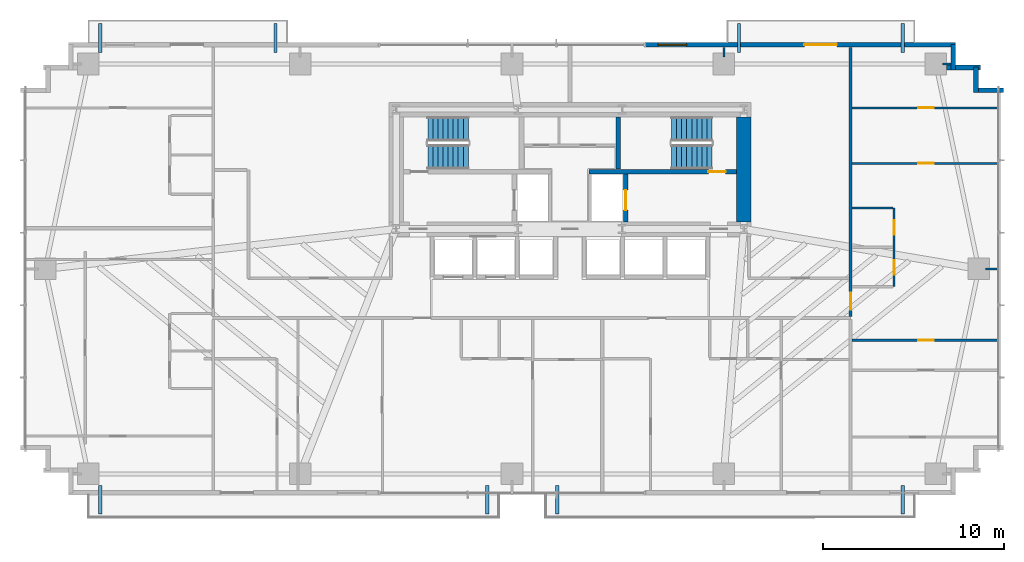
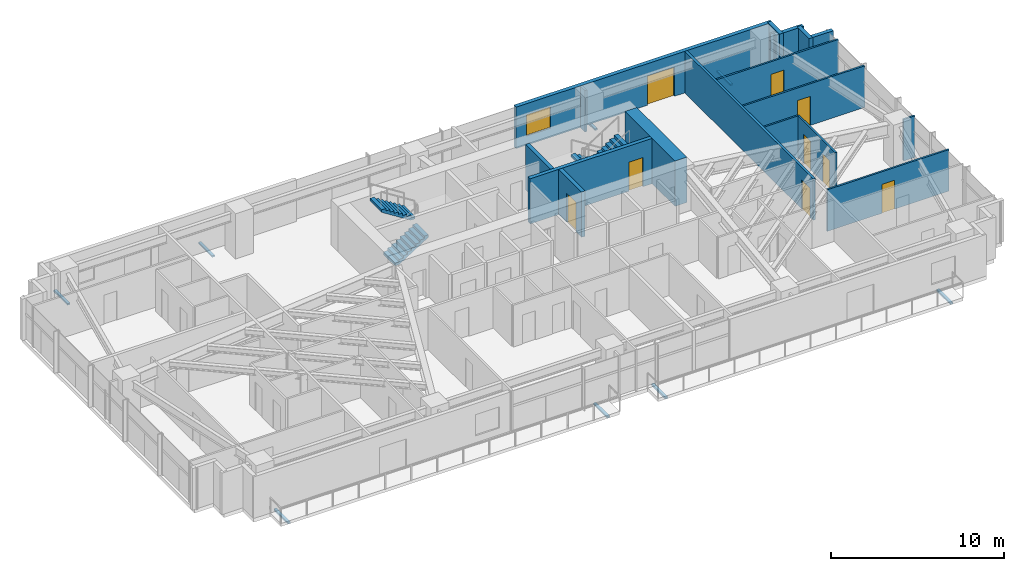
# One storey, part 22 of 25: 18 walls, 9 doors, 8 discrete accessories, 4 stair flights, 1 window, 10 openings, 2 elements without a shape of their own.
"""IFC4 building model written with IfcOpenShell, lengths in metres."""

from ifc_helpers import new_model, si_unit, direction, frame, frame_2d, origin, origin_2d, place, context, subcontext, project, spatial, polyline, rectangle, outline, extrude, source, transform, mapped, material, layer, layer_set, type_object, type_shapes, element, fill, aggregate, save


model = new_model("IFC4")

# Units and contexts
model_context = context("Model", 3, precision=1e-05, world=origin(), true_north=direction((0.0, 1.0)))
body_context = subcontext(model_context, "Body", "Model", "MODEL_VIEW")
ifc_project = project(units=[si_unit("LENGTHUNIT", "METRE"), si_unit("AREAUNIT", "SQUARE_METRE"), si_unit("VOLUMEUNIT", "CUBIC_METRE"), si_unit("PLANEANGLEUNIT", "RADIAN"), si_unit("MASSUNIT", "GRAM", prefix="KILO")], contexts=[model_context])

# Site, building, storey
site_placement = place(None, origin())
site = spatial("IfcSite", under=ifc_project, at=site_placement, CompositionType="ELEMENT")
building_placement = place(site_placement, origin())
building = spatial("IfcBuilding", under=site, at=building_placement, Name="Astriad Promenade Condominiums", CompositionType="ELEMENT")
storey_placement = place(building_placement, frame((0.0, 0.0, 32.60009765625)))
storey = spatial("IfcBuildingStorey", under=building, at=storey_placement, Name="L08", CompositionType="ELEMENT", Elevation=32.60009765625)

# Wall
ifc_material_1 = material(Name="Concrete C80/95", Category="concrete")
ifc_layer_1 = layer(ifc_material_1, 0.800048828125)
ifc_layer_set_1 = layer_set([ifc_layer_1], Name="Concrete C80/95")
wall_type_1 = type_object("IfcWallType", Name="CW-SHEAR-800", PredefinedType="SHEAR", material=ifc_layer_set_1)
wall_1_placement = place(storey_placement, frame((45.60009765625, 17.802001953125, 0.0), z_axis=(0.0, 0.0, 1.0), x_axis=(0.0, 1.0, 0.0)))
element("IfcWall", 1, at=wall_1_placement, inside=storey, type_object=wall_type_1, Name="CW-CORE-E-L08", PredefinedType="SHEAR", context=body_context, shape_type="SweptSolid", body=[
    extrude(rectangle(XDim=5.7958984375, YDim=0.800048828125, at=frame_2d((2.89794921875, 0.0))), origin(), (0.0, 0.0, 1.0), 3.199951171875),
])

# Wall, opening, door
ifc_material_2 = material(Name="Concrete C50/60", Category="concrete")
ifc_layer_2 = layer(ifc_material_2, 0.25)
ifc_layer_set_2 = layer_set([ifc_layer_2], Name="Concrete C50/60")
wall_type_2 = type_object("IfcWallType", Name="WALL-CORE-INT-250", PredefinedType="SOLIDWALL", material=ifc_layer_set_2)
wall_2_placement = place(storey_placement, frame((37.050048828125, 20.574951171875, 0.0), z_axis=(0.0, 0.0, 1.0), x_axis=(1.0, 0.0, 0.0)))
wall_2 = element("IfcWall", 2, at=wall_2_placement, inside=storey, type_object=wall_type_2, Name="CW-INT-H2-L08", PredefinedType="SOLIDWALL", context=body_context, shape_type="SweptSolid", body=[
    extrude(rectangle(XDim=8.14794921875, YDim=0.25, at=frame_2d((4.073974609375, 0.0))), origin(), (0.0, 0.0, 1.0), 3.199951171875),
])
opening_1_placement = place(wall_2_placement, frame((6.60009765625, 0.0, 0.0)))
opening_1 = element("IfcOpeningElement", 3, at=opening_1_placement, cuts=wall_2, Name="Opening FD90-ST-095", PredefinedType="OPENING", context=body_context, shape_type="SweptSolid", body=[
    extrude(rectangle(XDim=0.949951171875, YDim=2.06005859375, at=frame_2d((0.47509765625, 1.030029296875))), frame((0.0, 0.135009765625, 0.0), z_axis=(0.0, -1.0, 0.0), x_axis=(1.0, 0.0, 0.0)), (0.0, 0.0, 1.0), 0.27001953125),
])
ifc_material_3 = material(Name="Fire-Rated Hollow Metal Stair Door")
door_type_1 = type_object("IfcDoorType", Name="FD90-ST-095", OperationType="NOTDEFINED", PredefinedType="DOOR", material=ifc_material_3)
shared_shape_1 = source(origin(), body_context, "Body", "SweptSolid", [
    extrude(rectangle(XDim=0.949951171875, YDim=2.06005859375, at=frame_2d((0.47509765625, 1.030029296875))), frame((0.0, 0.02490234375, 0.0), z_axis=(0.0, -1.0, 0.0), x_axis=(1.0, 0.0, 0.0)), (0.0, 0.0, 1.0), 0.050048828125),
])
type_shapes(door_type_1, [shared_shape_1])
door_1_placement = place(opening_1_placement, origin())
door_1 = element("IfcDoor", 4, at=door_1_placement, inside=storey, type_object=door_type_1, Name="D-ST2-L08", OperationType="SINGLE_SWING_RIGHT", OverallHeight=2.06005859375, OverallWidth=0.949951171875, PredefinedType="DOOR", context=body_context, shape_type="MappedRepresentation", body=[
    mapped(shared_shape_1, transform((0.0, 0.0, 0.0), scale=1.0)),
])
fill(opening_1, door_1)

# Wall
wall_3_placement = place(storey_placement, frame((38.675048828125, 20.701904296875, 0.0), z_axis=(0.0, 0.0, 1.0), x_axis=(0.0, 1.0, 0.0)))
element("IfcWall", 5, at=wall_3_placement, inside=storey, type_object=wall_type_2, Name="CW-ST2-W-L08", PredefinedType="SOLIDWALL", context=body_context, shape_type="SweptSolid", body=[
    extrude(rectangle(XDim=2.89599609375, YDim=0.25, at=frame_2d((1.447998046875, 0.0))), origin(), (0.0, 0.0, 1.0), 3.199951171875),
])

# Wall, opening, door
wall_4_placement = place(storey_placement, frame((39.074951171875, 17.802001953125, 0.0), z_axis=(0.0, 0.0, 1.0), x_axis=(0.0, 1.0, 0.0)))
wall_4 = element("IfcWall", 6, at=wall_4_placement, inside=storey, type_object=wall_type_2, Name="CW-FFL2-E-L08", PredefinedType="SOLIDWALL", context=body_context, shape_type="SweptSolid", body=[
    extrude(rectangle(XDim=2.64599609375, YDim=0.25, at=frame_2d((1.322998046875, 0.0))), origin(), (0.0, 0.0, 1.0), 3.199951171875),
])
opening_2_placement = place(wall_4_placement, frame((0.64794921875, 0.0, 0.0)))
opening_2 = element("IfcOpeningElement", 7, at=opening_2_placement, cuts=wall_4, Name="Opening LD-FFL-1122", PredefinedType="OPENING", context=body_context, shape_type="SweptSolid", body=[
    extrude(rectangle(XDim=1.10009765625, YDim=2.080078125, at=frame_2d((0.550048828125, 1.0400390625))), frame((0.0, 0.135009765625, 0.0), z_axis=(0.0, -1.0, 0.0), x_axis=(1.0, 0.0, 0.0)), (0.0, 0.0, 1.0), 0.27001953125),
])
ifc_material_4 = material(Name="Brushed Stainless Steel Fire Elevator Landing Door", Category="steel")
door_type_2 = type_object("IfcDoorType", Name="LD-FFL-1122", OperationType="NOTDEFINED", PredefinedType="DOOR", material=ifc_material_4)
shared_shape_2 = source(origin(), body_context, "Body", "SweptSolid", [
    extrude(rectangle(XDim=1.10009765625, YDim=2.080078125, at=frame_2d((0.550048828125, 1.0400390625))), frame((0.0, 0.02490234375, 0.0), z_axis=(0.0, -1.0, 0.0), x_axis=(1.0, 0.0, 0.0)), (0.0, 0.0, 1.0), 0.050048828125),
])
type_shapes(door_type_2, [shared_shape_2])
door_2_placement = place(opening_2_placement, origin())
door_2 = element("IfcDoor", 8, at=door_2_placement, inside=storey, type_object=door_type_2, Name="Elevator Landing Door FFL-2 (L08)", OperationType="SLIDING_TO_RIGHT", OverallHeight=2.080078125, OverallWidth=1.10009765625, PredefinedType="DOOR", context=body_context, shape_type="MappedRepresentation", body=[
    mapped(shared_shape_2, transform((0.0, 0.0, 0.0), scale=1.0)),
])
fill(opening_2, door_2)

ifc_material_5 = material(Name="Fire-Rated Gypsum Partition")
ifc_layer_3 = layer(ifc_material_5, 0.159912109375)
ifc_layer_set_3 = layer_set([ifc_layer_3], Name="Fire-Rated Gypsum Partition")
wall_type_3 = type_object("IfcWallType", Name="WALL-CORR-160", PredefinedType="PARTITIONING", material=ifc_layer_set_3)
wall_5_placement = place(storey_placement, frame((51.5, 12.572021484375, 0.0), z_axis=(0.0, 0.0, 1.0), x_axis=(0.0, 1.0, 0.0)))
wall_5 = element("IfcWall", 9, at=wall_5_placement, inside=storey, type_object=wall_type_3, Name="PT-COR-E-L08-S2", PredefinedType="PARTITIONING", context=body_context, shape_type="SweptSolid", body=[
    extrude(rectangle(XDim=14.865966796875, YDim=0.159912109375, at=frame_2d((7.43310546875, 0.0))), origin(), (0.0, 0.0, 1.0), 2.93994140625),
])
opening_3_placement = place(wall_5_placement, frame((0.3701171875, 0.0, 0.0)))
opening_3 = element("IfcOpeningElement", 10, at=opening_3_placement, cuts=wall_5, Name="Opening FD60-APT-095", PredefinedType="OPENING", context=body_context, shape_type="SweptSolid", body=[
    extrude(rectangle(XDim=0.949951171875, YDim=2.06005859375, at=frame_2d((0.47509765625, 1.030029296875))), frame((0.0, 0.08984375, 0.0), z_axis=(0.0, -1.0, 0.0), x_axis=(1.0, 0.0, 0.0)), (0.0, 0.0, 1.0), 0.179931640625),
])
ifc_material_6 = material(Name="Solid-Core Acoustic Timber Residence Entry Door", Category="wood")
door_type_3 = type_object("IfcDoorType", Name="FD60-APT-095", OperationType="NOTDEFINED", PredefinedType="DOOR", material=ifc_material_6)
shared_shape_3 = source(origin(), body_context, "Body", "SweptSolid", [
    extrude(rectangle(XDim=0.949951171875, YDim=2.06005859375, at=frame_2d((0.47509765625, 1.030029296875))), frame((0.0, 0.02490234375, 0.0), z_axis=(0.0, -1.0, 0.0), x_axis=(1.0, 0.0, 0.0)), (0.0, 0.0, 1.0), 0.050048828125),
])
type_shapes(door_type_3, [shared_shape_3])
door_3_placement = place(opening_3_placement, origin())
door_3 = element("IfcDoor", 11, at=door_3_placement, inside=storey, type_object=door_type_3, Name="D-ENT-L08-E1", OperationType="SINGLE_SWING_LEFT", OverallHeight=2.06005859375, OverallWidth=0.949951171875, PredefinedType="DOOR", context=body_context, shape_type="MappedRepresentation", body=[
    mapped(shared_shape_3, transform((0.0, 0.0, 0.0), scale=1.0)),
])
fill(opening_3, door_3)

# Wall, openings, door, window
ifc_material_7 = material(Name="Precast concrete C50/60", Category="concrete")
ifc_layer_4 = layer(ifc_material_7, 0.260009765625)
ifc_layer_set_4 = layer_set([ifc_layer_4], Name="Precast concrete C50/60")
wall_type_4 = type_object("IfcWallType", Name="WALL-EXT-TWR-260", PredefinedType="STANDARD", material=ifc_layer_set_4)
wall_6_placement = place(storey_placement, frame((40.14990234375, 27.570068359375, 0.0), z_axis=(0.0, 0.0, 1.0), x_axis=(1.0, 0.0, 0.0)))
wall_6 = element("IfcWall", 12, at=wall_6_placement, inside=storey, type_object=wall_type_4, Name="W-EXT-L08-N2", PredefinedType="STANDARD", context=body_context, shape_type="SweptSolid", body=[
    extrude(rectangle(XDim=17.150146484375, YDim=0.260009765625, at=frame_2d((8.5751953125, 0.0))), origin(), (0.0, 0.0, 1.0), 2.93994140625),
])
opening_4_placement = place(wall_6_placement, frame((8.7900390625, 0.0, 0.0)))
opening_4 = element("IfcOpeningElement", 13, at=opening_4_placement, cuts=wall_6, Name="Opening BD-1822-SLD", PredefinedType="OPENING", context=body_context, shape_type="SweptSolid", body=[
    extrude(rectangle(XDim=1.800048828125, YDim=2.06005859375, at=frame_2d((0.89990234375, 1.030029296875))), frame((0.0, 0.139892578125, 0.0), z_axis=(0.0, -1.0, 0.0), x_axis=(1.0, 0.0, 0.0)), (0.0, 0.0, 1.0), 0.280029296875),
])
opening_5_placement = place(wall_6_placement, frame((0.699951171875, 0.0, 0.64990234375)))
opening_5 = element("IfcOpeningElement", 14, at=opening_5_placement, cuts=wall_6, Name="Opening WIN-TWR-1620", PredefinedType="OPENING", context=body_context, shape_type="SweptSolid", body=[
    extrude(rectangle(XDim=1.60009765625, YDim=1.5, at=frame_2d((0.800048828125, 0.75))), frame((0.0, 0.139892578125, 0.0), z_axis=(0.0, -1.0, 0.0), x_axis=(1.0, 0.0, 0.0)), (0.0, 0.0, 1.0), 0.280029296875),
])
ifc_material_8 = material(Name="Thermally Broken Aluminium Sliding Balcony Door", Category="aluminium")
door_type_4 = type_object("IfcDoorType", Name="BD-1822-SLD", OperationType="NOTDEFINED", PredefinedType="DOOR", material=ifc_material_8)
shared_shape_4 = source(origin(), body_context, "Body", "SweptSolid", [
    extrude(rectangle(XDim=1.800048828125, YDim=2.06005859375, at=frame_2d((0.89990234375, 1.030029296875))), frame((0.0, 0.02490234375, 0.0), z_axis=(0.0, -1.0, 0.0), x_axis=(1.0, 0.0, 0.0)), (0.0, 0.0, 1.0), 0.050048828125),
])
type_shapes(door_type_4, [shared_shape_4])
door_4_placement = place(opening_4_placement, origin())
door_4 = element("IfcDoor", 15, at=door_4_placement, inside=storey, type_object=door_type_4, Name="BD-L08-NE", OperationType="SLIDING_TO_RIGHT", OverallHeight=2.06005859375, OverallWidth=1.800048828125, PredefinedType="DOOR", context=body_context, shape_type="MappedRepresentation", body=[
    mapped(shared_shape_4, transform((0.0, 0.0, 0.0), scale=1.0)),
])
fill(opening_4, door_4)
ifc_material_9 = material(Name="Dark Tinted Triple-Glazed Aluminium Window", Category="aluminium")
window_type = type_object("IfcWindowType", Name="WIN-TWR-1620", PartitioningType="SINGLE_PANEL", PredefinedType="WINDOW", material=ifc_material_9)
shared_shape_5 = source(origin(), body_context, "Body", "SweptSolid", [
    extrude(rectangle(XDim=1.60009765625, YDim=1.5, at=frame_2d((0.800048828125, 0.75))), frame((0.0, 0.030029296875, 0.0), z_axis=(0.0, -1.0, 0.0), x_axis=(1.0, 0.0, 0.0)), (0.0, 0.0, 1.0), 0.06005859375),
])
type_shapes(window_type, [shared_shape_5])
window_placement = place(opening_5_placement, origin())
window = element("IfcWindow", 16, at=window_placement, inside=storey, type_object=window_type, Name="WIN-L08-NE", OverallHeight=1.5, OverallWidth=1.60009765625, PartitioningType="SINGLE_PANEL", PredefinedType="WINDOW", context=body_context, shape_type="MappedRepresentation", body=[
    mapped(shared_shape_5, transform((0.0, 0.0, 0.0), scale=1.0)),
])
fill(opening_5, window)

# Walls
wall_7_placement = place(storey_placement, frame((57.169921875, 27.5849609375, 0.0), z_axis=(0.0, 0.0, 1.0), x_axis=(0.0, -1.0, 0.0)))
element("IfcWall", 17, at=wall_7_placement, inside=storey, type_object=wall_type_4, Name="W-SER-L08-09", PredefinedType="STANDARD", context=body_context, shape_type="SweptSolid", body=[
    extrude(rectangle(XDim=1.39501953125, YDim=0.260009765625, at=frame_2d((0.697509765625, 0.0))), origin(), (0.0, 0.0, 1.0), 2.93994140625),
])
wall_8_placement = place(storey_placement, frame((56.802001953125, 26.320068359375, 0.0), z_axis=(0.0, 0.0, 1.0), x_axis=(1.0, 0.0, 0.0)))
element("IfcWall", 18, at=wall_8_placement, inside=storey, type_object=wall_type_4, Name="W-SER-L08-10", PredefinedType="STANDARD", context=body_context, shape_type="SweptSolid", body=[
    extrude(rectangle(XDim=1.8779296875, YDim=0.260009765625, at=frame_2d((0.93896484375, 0.0))), origin(), (0.0, 0.0, 1.0), 2.93994140625),
])
for number, where, z_axis, x_axis, name in (
    (19, (58.419921875, 26.3349609375, 0.0), (0.0, 0.0, 1.0), (0.0, -1.0, 0.0), "W-SER-L08-11"),
    (20, (58.534912109375, 25.070068359375, 0.0), (0.0, 0.0, 1.0), (1.0, 0.0, 0.0), "W-SER-L08-12"),
):
    element("IfcWall", number, at=place(storey_placement, frame(where, z_axis=z_axis, x_axis=x_axis)), inside=storey, type_object=wall_type_4, Name=name, PredefinedType="STANDARD", context=body_context, shape_type="SweptSolid", body=[
        extrude(rectangle(XDim=1.39501953125, YDim=0.260009765625, at=frame_2d((0.697509765625, 0.0))), origin(), (0.0, 0.0, 1.0), 2.93994140625),
    ])

# Wall, openings, doors
ifc_material_10 = material(Name="Acoustic Metal-Stud Gypsum Partition")
ifc_layer_5 = layer(ifc_material_10, 0.1201171875)
ifc_layer_set_5 = layer_set([ifc_layer_5], Name="Acoustic Metal-Stud Gypsum Partition")
wall_type_5 = type_object("IfcWallType", Name="WALL-PART-120", PredefinedType="PARTITIONING", material=ifc_layer_set_5)
wall_9_placement = place(storey_placement, frame((53.89990234375, 14.217041015625, 0.0), z_axis=(0.0, 0.0, 1.0), x_axis=(0.0, 1.0, 0.0)))
wall_9 = element("IfcWall", 21, at=wall_9_placement, inside=storey, type_object=wall_type_5, Name="PT-L08-E1-PV", PredefinedType="PARTITIONING", context=body_context, shape_type="SweptSolid", body=[
    extrude(rectangle(XDim=4.349853515625, YDim=0.1201171875, at=frame_2d((2.1748046875, 0.0))), origin(), (0.0, 0.0, 1.0), 2.93994140625),
])
opening_6_placement = place(wall_9_placement, frame((0.6630859375, 0.0, 0.0)))
opening_6 = element("IfcOpeningElement", 22, at=opening_6_placement, cuts=wall_9, Name="Opening D-ULOW-080", PredefinedType="OPENING", context=body_context, shape_type="SweptSolid", body=[
    extrude(rectangle(XDim=0.800048828125, YDim=2.0, at=frame_2d((0.39990234375, 1.0))), frame((0.0, 0.070068359375, 0.0), z_axis=(0.0, -1.0, 0.0), x_axis=(1.0, 0.0, 0.0)), (0.0, 0.0, 1.0), 0.14013671875),
])
opening_7_placement = place(wall_9_placement, frame((2.863037109375, 0.0, 0.0)))
opening_7 = element("IfcOpeningElement", 23, at=opening_7_placement, cuts=wall_9, Name="Opening D-WET-080", PredefinedType="OPENING", context=body_context, shape_type="SweptSolid", body=[
    extrude(rectangle(XDim=0.800048828125, YDim=2.02001953125, at=frame_2d((0.39990234375, 1.010009765625))), frame((0.0, 0.070068359375, 0.0), z_axis=(0.0, -1.0, 0.0), x_axis=(1.0, 0.0, 0.0)), (0.0, 0.0, 1.0), 0.14013671875),
])
ifc_material_11 = material(Name="Moisture-Resistant Timber Bathroom Door", Category="wood")
door_type_5 = type_object("IfcDoorType", Name="D-WET-080", OperationType="NOTDEFINED", PredefinedType="DOOR", material=ifc_material_11)
shared_shape_6 = source(origin(), body_context, "Body", "SweptSolid", [
    extrude(rectangle(XDim=0.800048828125, YDim=2.02001953125, at=frame_2d((0.39990234375, 1.010009765625))), frame((0.0, 0.02490234375, 0.0), z_axis=(0.0, -1.0, 0.0), x_axis=(1.0, 0.0, 0.0)), (0.0, 0.0, 1.0), 0.050048828125),
])
type_shapes(door_type_5, [shared_shape_6])
door_5_placement = place(opening_7_placement, origin())
door_5 = element("IfcDoor", 24, at=door_5_placement, inside=storey, type_object=door_type_5, Name="D-BTH-L08-E1", OperationType="SINGLE_SWING_LEFT", OverallHeight=2.02001953125, OverallWidth=0.800048828125, PredefinedType="DOOR", context=body_context, shape_type="MappedRepresentation", body=[
    mapped(shared_shape_6, transform((0.0, 0.0, 0.0), scale=1.0)),
])
fill(opening_7, door_5)
ifc_material_12 = material(Name="Painted Timber Low-Headroom Door", Category="wood")
door_type_6 = type_object("IfcDoorType", Name="D-ULOW-080", OperationType="NOTDEFINED", PredefinedType="DOOR", material=ifc_material_12)
shared_shape_7 = source(origin(), body_context, "Body", "SweptSolid", [
    extrude(rectangle(XDim=0.800048828125, YDim=2.0, at=frame_2d((0.39990234375, 1.0))), frame((0.0, 0.02490234375, 0.0), z_axis=(0.0, -1.0, 0.0), x_axis=(1.0, 0.0, 0.0)), (0.0, 0.0, 1.0), 0.050048828125),
])
type_shapes(door_type_6, [shared_shape_7])
door_6_placement = place(opening_6_placement, origin())
door_6 = element("IfcDoor", 25, at=door_6_placement, inside=storey, type_object=door_type_6, Name="D-KIT-L08-E1", OperationType="SINGLE_SWING_RIGHT", OverallHeight=2.0, OverallWidth=0.800048828125, PredefinedType="DOOR", context=body_context, shape_type="MappedRepresentation", body=[
    mapped(shared_shape_7, transform((0.0, 0.0, 0.0), scale=1.0)),
])
fill(opening_6, door_6)

# Wall
wall_10_placement = place(storey_placement, frame((51.58203125, 18.56689453125, 0.0), z_axis=(0.0, 0.0, 1.0), x_axis=(1.0, 0.0, 0.0)))
element("IfcWall", 26, at=wall_10_placement, inside=storey, type_object=wall_type_5, Name="PT-L08-E1-PN", PredefinedType="PARTITIONING", context=body_context, shape_type="SweptSolid", body=[
    extrude(rectangle(XDim=2.255859375, YDim=0.1201171875, at=frame_2d((1.1279296875, 0.0))), origin(), (0.0, 0.0, 1.0), 2.93994140625),
])

# Wall, opening, door
wall_11_placement = place(storey_placement, frame((51.58203125, 24.090087890625, 0.0), z_axis=(0.0, 0.0, 1.0), x_axis=(1.0, 0.0, 0.0)))
wall_11 = element("IfcWall", 27, at=wall_11_placement, inside=storey, type_object=wall_type_5, Name="PT-L08-E1-B1", PredefinedType="PARTITIONING", context=body_context, shape_type="SweptSolid", body=[
    extrude(rectangle(XDim=8.137939453125, YDim=0.1201171875, at=frame_2d((4.06884765625, 0.0))), origin(), (0.0, 0.0, 1.0), 2.93994140625),
])
opening_8_placement = place(wall_11_placement, frame((3.653076171875, 0.0, 0.0)))
opening_8 = element("IfcOpeningElement", 28, at=opening_8_placement, cuts=wall_11, Name="Opening D-INT-085", PredefinedType="OPENING", context=body_context, shape_type="SweptSolid", body=[
    extrude(rectangle(XDim=0.85009765625, YDim=2.050048828125, at=frame_2d((0.425048828125, 1.02490234375))), frame((0.0, 0.070068359375, 0.0), z_axis=(0.0, -1.0, 0.0), x_axis=(1.0, 0.0, 0.0)), (0.0, 0.0, 1.0), 0.14013671875),
])
ifc_material_13 = material(Name="Painted Solid-Core Timber Room Door", Category="wood")
door_type_7 = type_object("IfcDoorType", Name="D-INT-085", OperationType="NOTDEFINED", PredefinedType="DOOR", material=ifc_material_13)
shared_shape_8 = source(origin(), body_context, "Body", "SweptSolid", [
    extrude(rectangle(XDim=0.85009765625, YDim=2.050048828125, at=frame_2d((0.425048828125, 1.02490234375))), frame((0.0, 0.02490234375, 0.0), z_axis=(0.0, -1.0, 0.0), x_axis=(1.0, 0.0, 0.0)), (0.0, 0.0, 1.0), 0.050048828125),
])
type_shapes(door_type_7, [shared_shape_8])
door_7_placement = place(opening_8_placement, origin())
door_7 = element("IfcDoor", 29, at=door_7_placement, inside=storey, type_object=door_type_7, Name="D-BD1-L08-E1", OperationType="SINGLE_SWING_RIGHT", OverallHeight=2.050048828125, OverallWidth=0.85009765625, PredefinedType="DOOR", context=body_context, shape_type="MappedRepresentation", body=[
    mapped(shared_shape_8, transform((0.0, 0.0, 0.0), scale=1.0)),
])
fill(opening_8, door_7)

wall_12_placement = place(storey_placement, frame((51.58203125, 21.02490234375, 0.0), z_axis=(0.0, 0.0, 1.0), x_axis=(1.0, 0.0, 0.0)))
wall_12 = element("IfcWall", 30, at=wall_12_placement, inside=storey, type_object=wall_type_5, Name="PT-L08-E1-WDN2", PredefinedType="PARTITIONING", context=body_context, shape_type="SweptSolid", body=[
    extrude(rectangle(XDim=8.137939453125, YDim=0.1201171875, at=frame_2d((4.06884765625, 0.0))), origin(), (0.0, 0.0, 1.0), 2.93994140625),
])
opening_9_placement = place(wall_12_placement, frame((3.653076171875, 0.0, 0.0)))
opening_9 = element("IfcOpeningElement", 31, at=opening_9_placement, cuts=wall_12, Name="Opening D-INT-085", PredefinedType="OPENING", context=body_context, shape_type="SweptSolid", body=[
    extrude(rectangle(XDim=0.85009765625, YDim=2.050048828125, at=frame_2d((0.425048828125, 1.02490234375))), frame((0.0, 0.070068359375, 0.0), z_axis=(0.0, -1.0, 0.0), x_axis=(1.0, 0.0, 0.0)), (0.0, 0.0, 1.0), 0.14013671875),
])
door_8_placement = place(opening_9_placement, origin())
door_8 = element("IfcDoor", 32, at=door_8_placement, inside=storey, type_object=door_type_7, Name="D-WDN2-L08-E1", OperationType="SINGLE_SWING_LEFT", OverallHeight=2.050048828125, OverallWidth=0.85009765625, PredefinedType="DOOR", context=body_context, shape_type="MappedRepresentation", body=[
    mapped(shared_shape_8, transform((0.0, 0.0, 0.0), scale=1.0)),
])
fill(opening_9, door_8)

wall_13_placement = place(storey_placement, frame((51.58203125, 11.258056640625, 0.0), z_axis=(0.0, 0.0, 1.0), x_axis=(1.0, 0.0, 0.0)))
wall_13 = element("IfcWall", 33, at=wall_13_placement, inside=storey, type_object=wall_type_5, Name="PT-L08-E1-WDS3", PredefinedType="PARTITIONING", context=body_context, shape_type="SweptSolid", body=[
    extrude(rectangle(XDim=8.137939453125, YDim=0.1201171875, at=frame_2d((4.06884765625, 0.0))), origin(), (0.0, 0.0, 1.0), 2.93994140625),
])
opening_10_placement = place(wall_13_placement, frame((3.653076171875, 0.0, 0.0)))
opening_10 = element("IfcOpeningElement", 34, at=opening_10_placement, cuts=wall_13, Name="Opening D-INT-085", PredefinedType="OPENING", context=body_context, shape_type="SweptSolid", body=[
    extrude(rectangle(XDim=0.85009765625, YDim=2.050048828125, at=frame_2d((0.425048828125, 1.02490234375))), frame((0.0, 0.070068359375, 0.0), z_axis=(0.0, -1.0, 0.0), x_axis=(1.0, 0.0, 0.0)), (0.0, 0.0, 1.0), 0.14013671875),
])
door_9_placement = place(opening_10_placement, origin())
door_9 = element("IfcDoor", 35, at=door_9_placement, inside=storey, type_object=door_type_7, Name="D-WDS3-L08-E1", OperationType="SINGLE_SWING_RIGHT", OverallHeight=2.050048828125, OverallWidth=0.85009765625, PredefinedType="DOOR", context=body_context, shape_type="MappedRepresentation", body=[
    mapped(shared_shape_8, transform((0.0, 0.0, 0.0), scale=1.0)),
])
fill(opening_10, door_9)

# Walls
wall_14_placement = place(storey_placement, frame((44.5, 26.89990234375, 0.0), z_axis=(0.0, 0.0, 1.0), x_axis=(0.0, 1.0, 0.0)))
element("IfcWall", 36, at=wall_14_placement, inside=storey, type_object=wall_type_5, Name="PT-PIL-L08-PC09-16", PredefinedType="PARTITIONING", context=body_context, shape_type="SweptSolid", body=[
    extrude(rectangle(XDim=0.5380859375, YDim=0.1201171875, at=frame_2d((0.26904296875, 0.0))), origin(), (0.0, 0.0, 1.0), 2.93994140625),
])
wall_15_placement = place(storey_placement, frame((56.580078125, 26.52001953125, 0.0), z_axis=(0.0, 0.0, 1.0), x_axis=(1.0, 0.0, 0.0)))
element("IfcWall", 37, at=wall_15_placement, inside=storey, type_object=wall_type_5, Name="PT-PIL-L08-PC10-17", PredefinedType="PARTITIONING", context=body_context, shape_type="SweptSolid", body=[
    extrude(rectangle(XDim=0.4580078125, YDim=0.1201171875, at=frame_2d((0.22900390625, 0.0))), origin(), (0.0, 0.0, 1.0), 2.93994140625),
])
wall_16_placement = place(storey_placement, frame((58.9599609375, 15.199951171875, 0.0), z_axis=(0.0, 0.0, 1.0), x_axis=(1.0, 0.0, 0.0)))
element("IfcWall", 38, at=wall_16_placement, inside=storey, type_object=wall_type_5, Name="PT-PIL-L08-PC12-19", PredefinedType="PARTITIONING", context=body_context, shape_type="SweptSolid", body=[
    extrude(rectangle(XDim=0.760009765625, YDim=0.1201171875, at=frame_2d((0.3798828125, 0.0))), origin(), (0.0, 0.0, 1.0), 2.93994140625),
])

# Stair, stair flights
stair_type = type_object("IfcStairType", Name="STR-CORE-1350", PredefinedType="HALF_TURN_STAIR", material=ifc_material_2)
stair_1_placement = place(storey_placement, origin())
stair_1 = element("IfcStair", 39, at=stair_1_placement, inside=storey, type_object=stair_type, Name="L08 Enclosed Core Exit Stair ST-1", PredefinedType="HALF_TURN_STAIR")
stair_flight_type = type_object("IfcStairFlightType", Name="SFL-CORE-1350", PredefinedType="STRAIGHT", material=ifc_material_2)
shared_shape_9 = source(origin(), body_context, "Body", "SweptSolid", [
    extrude(outline(polyline([(0.0, 0.0), (0.0, 0.177734375), (0.280029296875, 0.177734375), (0.280029296875, 0.35546875), (0.56005859375, 0.35546875), (0.56005859375, 0.533447265625), (0.840087890625, 0.533447265625), (0.840087890625, 0.711181640625), (1.1201171875, 0.711181640625), (1.1201171875, 0.888916015625), (1.39990234375, 0.888916015625), (1.39990234375, 1.066650390625), (1.679931640625, 1.066650390625), (1.679931640625, 1.244384765625), (1.9599609375, 1.244384765625), (1.9599609375, 1.422119140625), (2.239990234375, 1.422119140625), (2.239990234375, 1.60009765625), (2.239990234375, 1.24462890625), (0.27978515625, 0.0), (0.0, 0.0)])), frame((0.0, 0.675048828125, 0.0), z_axis=(0.0, -1.0, 0.0), x_axis=(1.0, 0.0, 0.0)), (0.0, 0.0, 1.0), 1.35009765625),
])
type_shapes(stair_flight_type, [shared_shape_9])
stair_flight_1_placement = place(storey_placement, frame((28.14990234375, 21.375, 0.0), z_axis=(0.0, 0.0, 1.0), x_axis=(1.0, 0.0, 0.0)))
stair_flight_1 = element("IfcStairFlight", 40, at=stair_flight_1_placement, type_object=stair_flight_type, Name="ST-1 flight 1", NumberOfRisers=9, NumberOfTreads=8, PredefinedType="STRAIGHT", RiserHeight=0.177777778, TreadLength=0.28, context=body_context, shape_type="MappedRepresentation", body=[
    mapped(shared_shape_9, transform((0.0, 0.0, 0.0), scale=1.0)),
])
stair_flight_2_placement = place(storey_placement, frame((30.389892578125, 22.925048828125, 1.599853515625), z_axis=(0.0, 0.0, 1.0), x_axis=(-1.0, 0.0, 0.0)))
stair_flight_2 = element("IfcStairFlight", 41, at=stair_flight_2_placement, type_object=stair_flight_type, Name="ST-1 flight 2", NumberOfRisers=9, NumberOfTreads=8, PredefinedType="STRAIGHT", RiserHeight=0.177777778, TreadLength=0.28, context=body_context, shape_type="MappedRepresentation", body=[
    mapped(shared_shape_9, transform((0.0, 0.0, 0.0), scale=1.0)),
])
aggregate(stair_1, [stair_flight_1, stair_flight_2])

stair_2_placement = place(storey_placement, origin())
stair_2 = element("IfcStair", 42, at=stair_2_placement, inside=storey, type_object=stair_type, Name="L08 Enclosed Core Exit Stair ST-2", PredefinedType="HALF_TURN_STAIR")
stair_flight_3_placement = place(storey_placement, frame((43.85009765625, 22.925048828125, 0.0), z_axis=(0.0, 0.0, 1.0), x_axis=(-1.0, 0.0, 0.0)))
stair_flight_3 = element("IfcStairFlight", 43, at=stair_flight_3_placement, type_object=stair_flight_type, Name="ST-2 flight 1", NumberOfRisers=9, NumberOfTreads=8, PredefinedType="STRAIGHT", RiserHeight=0.177777778, TreadLength=0.28, context=body_context, shape_type="MappedRepresentation", body=[
    mapped(shared_shape_9, transform((0.0, 0.0, 0.0), scale=1.0)),
])
stair_flight_4_placement = place(storey_placement, frame((41.610107421875, 21.375, 1.599853515625), z_axis=(0.0, 0.0, 1.0), x_axis=(1.0, 0.0, 0.0)))
stair_flight_4 = element("IfcStairFlight", 44, at=stair_flight_4_placement, type_object=stair_flight_type, Name="ST-2 flight 2", NumberOfRisers=9, NumberOfTreads=8, PredefinedType="STRAIGHT", RiserHeight=0.177777778, TreadLength=0.28, context=body_context, shape_type="MappedRepresentation", body=[
    mapped(shared_shape_9, transform((0.0, 0.0, 0.0), scale=1.0)),
])
aggregate(stair_2, [stair_flight_3, stair_flight_4])

# Discrete accessories
ifc_material_14 = material(Name="Steel ASTM A572 Grade 50", Category="steel")
discrete_accessory_type = type_object("IfcDiscreteAccessoryType", Name="STEEL BALCONY OUTRIGGER BRACKET", PredefinedType="BRACKET", material=ifc_material_14)
shared_shape_10 = source(origin(), body_context, "Body", "SweptSolid", [
    extrude(rectangle(XDim=1.60009765625, YDim=0.179931640625, at=origin_2d()), origin(), (0.0, 0.0, 1.0), 0.1220703125),
])
type_shapes(discrete_accessory_type, [shared_shape_10])
for number, where, z_axis, x_axis, name in (
    (45, (10.06396484375, 2.449951171875, -0.340087890625), (0.0, 0.0, 1.0), (0.0, -1.0, 0.0), "Balcony Outrigger Bracket BAL-L08-SW-A"),
    (46, (31.427978515625, 2.449951171875, -0.340087890625), (0.0, 0.0, 1.0), (0.0, -1.0, 0.0), "Balcony Outrigger Bracket BAL-L08-SW-B"),
    (47, (35.305908203125, 2.449951171875, -0.340087890625), (0.0, 0.0, 1.0), (0.0, -1.0, 0.0), "Balcony Outrigger Bracket BAL-L08-SE-A"),
    (48, (54.376953125, 2.449951171875, -0.340087890625), (0.0, 0.0, 1.0), (0.0, -1.0, 0.0), "Balcony Outrigger Bracket BAL-L08-SE-B"),
    (49, (10.06396484375, 27.949951171875, -0.340087890625), (0.0, 0.0, 1.0), (0.0, 1.0, 0.0), "Balcony Outrigger Bracket BAL-L08-NW-A"),
    (50, (19.739990234375, 27.949951171875, -0.340087890625), (0.0, 0.0, 1.0), (0.0, 1.0, 0.0), "Balcony Outrigger Bracket BAL-L08-NW-B"),
    (51, (45.330078125, 27.949951171875, -0.340087890625), (0.0, 0.0, 1.0), (0.0, 1.0, 0.0), "Balcony Outrigger Bracket BAL-L08-NE-A"),
    (52, (54.376953125, 27.949951171875, -0.340087890625), (0.0, 0.0, 1.0), (0.0, 1.0, 0.0), "Balcony Outrigger Bracket BAL-L08-NE-B"),
):
    element("IfcDiscreteAccessory", number, at=place(storey_placement, frame(where, z_axis=z_axis, x_axis=x_axis)), inside=storey, type_object=discrete_accessory_type, Name=name, PredefinedType="BRACKET", context=body_context, shape_type="MappedRepresentation", body=[
        mapped(shared_shape_10, transform((0.0, 0.0, 0.0), scale=1.0)),
    ])

save(model, "model.ifc")
